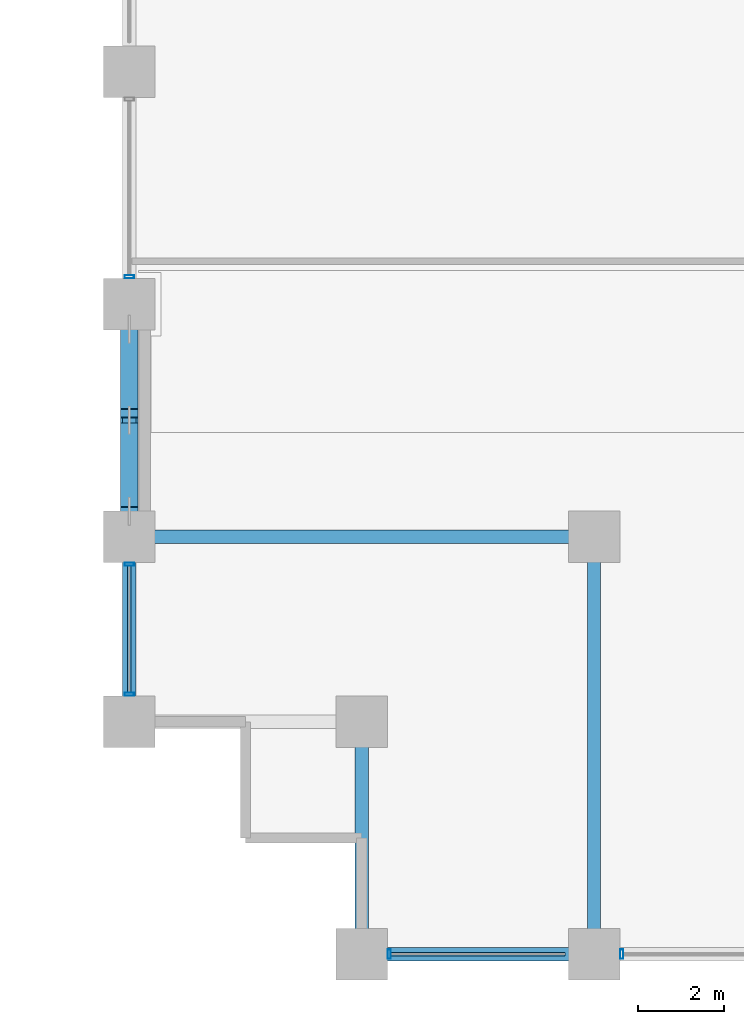
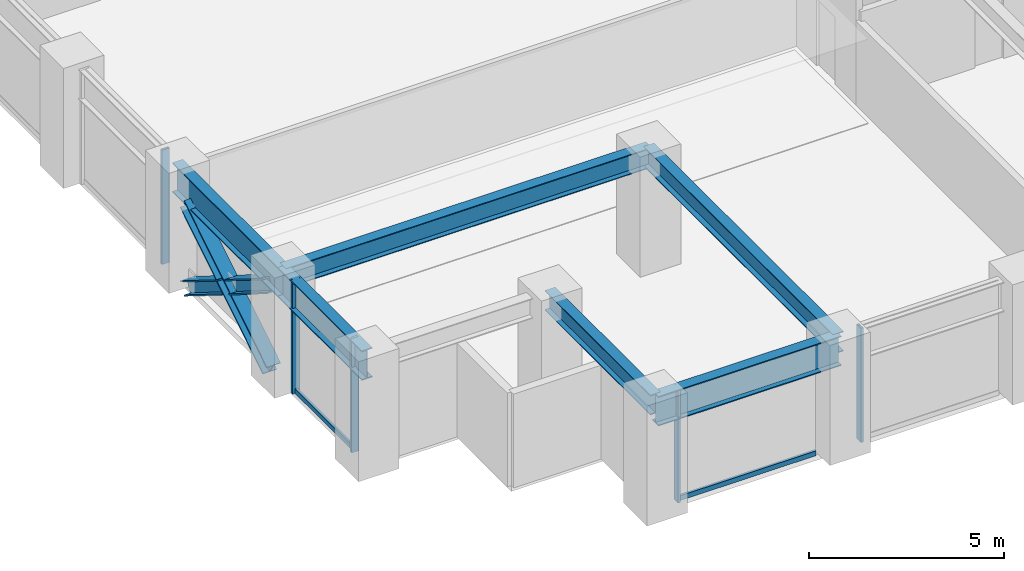
# One storey, part 2 of 26: 10 members, 6 beams, 3 elements without a shape of their own.
"""IFC4 building model written with IfcOpenShell, lengths in metres."""

from ifc_helpers import new_model, si_unit, direction, frame, origin, origin_2d, place, context, subcontext, project, spatial, hollow_rectangle, i_section, extrude, material, layer, layer_set, material_profile, profile_set, type_object, element, aggregate, save


model = new_model("IFC4")

# Units and contexts
model_context = context("Model", 3, precision=1e-05, world=origin(), true_north=direction((0.0, 1.0)))
body_context = subcontext(model_context, "Body", "Model", "MODEL_VIEW")
ifc_project = project(units=[si_unit("LENGTHUNIT", "METRE"), si_unit("AREAUNIT", "SQUARE_METRE"), si_unit("VOLUMEUNIT", "CUBIC_METRE"), si_unit("PLANEANGLEUNIT", "RADIAN"), si_unit("MASSUNIT", "GRAM", prefix="KILO")], contexts=[model_context])

# Site, building, storey
site_placement = place(None, origin())
site = spatial("IfcSite", under=ifc_project, at=site_placement, CompositionType="ELEMENT")
building_placement = place(site_placement, origin())
building = spatial("IfcBuilding", under=site, at=building_placement, Name="Surkhivell Harbour Commons", CompositionType="ELEMENT")
storey_placement = place(building_placement, frame((0.0, 0.0, 71.25)))
storey = spatial("IfcBuildingStorey", under=building, at=storey_placement, Name="L18", CompositionType="ELEMENT", Elevation=71.25)

# Beams
ifc_material_1 = material(Name="Steel S355", Category="steel")
ifc_material_profile_1 = material_profile(ifc_material_1, i_section(OverallWidth=0.306884765625, OverallDepth=0.6201171875, WebThickness=0.01416015625, FlangeThickness=0.023681640625, at=origin_2d()), Name="UB610x305x179")
ifc_profile_set_1 = profile_set([ifc_material_profile_1], Name="Steel S355")
beam_type_1 = type_object("IfcBeamType", Name="BM-GRD-610A", PredefinedType="BEAM", material=ifc_profile_set_1)
beam_1_placement = place(storey_placement, frame((-32.39990234375, -16.199951171875, 3.260009765625), z_axis=(1.0, 0.0, 0.0), x_axis=(0.0, 1.0, 0.0)))
element("IfcBeam", 1, at=beam_1_placement, inside=storey, type_object=beam_type_1, Name="L18 Floor Girder (-32.4,-16.2)", PredefinedType="BEAM", context=body_context, shape_type="SweptSolid", body=[
    extrude(i_section(OverallWidth=0.306884765625, OverallDepth=0.6201171875, WebThickness=0.01416015625, FlangeThickness=0.023681640625, at=origin_2d()), origin(), (0.0, 0.0, 1.0), 10.7998046875),
])
beam_2_placement = place(storey_placement, frame((-27.0, -25.89990234375, 3.260009765625), z_axis=(0.0, 1.0, 0.0), x_axis=(-1.0, 0.0, 0.0)))
element("IfcBeam", 2, at=beam_2_placement, inside=storey, type_object=beam_type_1, Name="L18 Floor Girder (-27.0,-25.9)", PredefinedType="BEAM", context=body_context, shape_type="SweptSolid", body=[
    extrude(i_section(OverallWidth=0.306884765625, OverallDepth=0.6201171875, WebThickness=0.01416015625, FlangeThickness=0.023681640625, at=origin_2d()), origin(), (0.0, 0.0, 1.0), 5.39990234375),
])
beam_3_placement = place(storey_placement, frame((-21.60009765625, -25.89990234375, 3.260009765625), z_axis=(0.0, 1.0, 0.0), x_axis=(-1.0, 0.0, 0.0)))
element("IfcBeam", 3, at=beam_3_placement, inside=storey, type_object=beam_type_1, Name="L18 Floor Girder (-21.6,-25.9)", PredefinedType="BEAM", context=body_context, shape_type="SweptSolid", body=[
    extrude(i_section(OverallWidth=0.306884765625, OverallDepth=0.6201171875, WebThickness=0.01416015625, FlangeThickness=0.023681640625, at=origin_2d()), origin(), (0.0, 0.0, 1.0), 9.699951171875),
])
ifc_material_2 = material(Name="Steel S460", Category="steel")
ifc_material_profile_2 = material_profile(ifc_material_2, i_section(OverallWidth=0.30810546875, OverallDepth=0.927001953125, WebThickness=0.01953125, FlangeThickness=0.031982421875, at=origin_2d()), Name="UB914x305x289")
ifc_profile_set_2 = profile_set([ifc_material_profile_2], Name="Steel S460")
beam_type_2 = type_object("IfcBeamType", Name="BM-SPN-914B", PredefinedType="SPANDREL", material=ifc_profile_set_2)
beam_4_placement = place(storey_placement, frame((-32.39990234375, -20.5, 3.1064453125), z_axis=(0.0, 1.0, 0.0), x_axis=(-1.0, 0.0, 0.0)))
element("IfcBeam", 4, at=beam_4_placement, inside=storey, type_object=beam_type_2, Name="L18 Tube Spandrel (-32.4,-20.5)", PredefinedType="SPANDREL", context=body_context, shape_type="SweptSolid", body=[
    extrude(i_section(OverallWidth=0.30810546875, OverallDepth=0.927001953125, WebThickness=0.01953125, FlangeThickness=0.031982421875, at=origin_2d()), origin(), (0.0, 0.0, 1.0), 4.300048828125),
])
for number, where, z_axis, x_axis, name in (
    (5, (-32.39990234375, -16.199951171875, 3.1064453125), (0.0, 1.0, 0.0), (-1.0, 0.0, 0.0), "L18 Tube Spandrel (-32.4,-16.2)"),
    (6, (-27.0, -25.89990234375, 3.1064453125), (1.0, 0.0, 0.0), (0.0, 1.0, 0.0), "L18 Tube Spandrel (-27.0,-25.9)"),
):
    element("IfcBeam", number, at=place(storey_placement, frame(where, z_axis=z_axis, x_axis=x_axis)), inside=storey, type_object=beam_type_2, Name=name, PredefinedType="SPANDREL", context=body_context, shape_type="SweptSolid", body=[
        extrude(i_section(OverallWidth=0.30810546875, OverallDepth=0.927001953125, WebThickness=0.01953125, FlangeThickness=0.031982421875, at=origin_2d()), origin(), (0.0, 0.0, 1.0), 5.39990234375),
    ])

# Curtain wall, members
ifc_material_3 = material(Name="Anodised pale-metal aluminium and insulated glazing", Category="aluminium")
ifc_layer = layer(ifc_material_3, 0.219970703125)
ifc_layer_set = layer_set([ifc_layer], Name="Anodised pale-metal aluminium and insulated glazing")
curtain_wall_type = type_object("IfcCurtainWallType", Name="CW-SYS-Z1", PredefinedType="NOTDEFINED", material=ifc_layer_set)
curtain_wall_1_placement = place(storey_placement, origin())
curtain_wall_1 = element("IfcCurtainWall", 7, at=curtain_wall_1_placement, inside=storey, type_object=curtain_wall_type, Name="L18 Curtain Wall CW-L18-E00S1", PredefinedType="NOTDEFINED")
ifc_material_4 = material(Name="Anodised pale-metal aluminium alloy 6063-T6", Category="aluminium")
ifc_material_profile_3 = material_profile(ifc_material_4, hollow_rectangle(XDim=0.074951171875, YDim=0.219970703125, WallThickness=0.00390625, at=origin_2d()), Name="ALU-MULL-75x220")
ifc_profile_set_3 = profile_set([ifc_material_profile_3], Name="Anodised pale-metal aluminium alloy 6063-T6")
member_type_1 = type_object("IfcMemberType", Name="CWM-220", PredefinedType="MULLION", material=ifc_profile_set_3)
member_1_placement = place(storey_placement, frame((-26.360595703125, -25.89990234375, 0.0), z_axis=(0.0, 0.0, 1.0), x_axis=(1.0, 0.0, 0.0)))
member_1 = element("IfcMember", 8, at=member_1_placement, type_object=member_type_1, Name="CW-Z1 mullion 1", PredefinedType="MULLION", context=body_context, shape_type="SweptSolid", body=[
    extrude(hollow_rectangle(XDim=0.074951171875, YDim=0.219970703125, WallThickness=0.00390625, at=origin_2d()), origin(), (0.0, 0.0, 1.0), 3.570068359375),
])
member_2_placement = place(storey_placement, frame((-20.96044921875, -25.89990234375, 0.0), z_axis=(0.0, 0.0, 1.0), x_axis=(1.0, 0.0, 0.0)))
member_2 = element("IfcMember", 9, at=member_2_placement, type_object=member_type_1, Name="CW-Z1 mullion 2", PredefinedType="MULLION", context=body_context, shape_type="SweptSolid", body=[
    extrude(hollow_rectangle(XDim=0.074951171875, YDim=0.219970703125, WallThickness=0.00390625, at=origin_2d()), origin(), (0.0, 0.0, 1.0), 3.570068359375),
])

# Curtain wall, member
curtain_wall_2_placement = place(storey_placement, origin())
curtain_wall_2 = element("IfcCurtainWall", 10, at=curtain_wall_2_placement, inside=storey, type_object=curtain_wall_type, Name="L18 Curtain Wall CW-L18-E12S1", PredefinedType="NOTDEFINED")
member_3_placement = place(storey_placement, frame((-32.39990234375, -10.160400390625, 0.0), z_axis=(0.0, 0.0, 1.0), x_axis=(0.0, -1.0, 0.0)))
member_3 = element("IfcMember", 11, at=member_3_placement, type_object=member_type_1, Name="CW-Z1 mullion 7", PredefinedType="MULLION", context=body_context, shape_type="SweptSolid", body=[
    extrude(hollow_rectangle(XDim=0.074951171875, YDim=0.219970703125, WallThickness=0.00390625, at=origin_2d()), origin(), (0.0, 0.0, 1.0), 3.570068359375),
])
aggregate(curtain_wall_2, [member_3])

# Curtain wall, members
curtain_wall_3_placement = place(storey_placement, origin())
curtain_wall_3 = element("IfcCurtainWall", 12, at=curtain_wall_3_placement, inside=storey, type_object=curtain_wall_type, Name="L18 Curtain Wall CW-L18-E12S2", PredefinedType="NOTDEFINED")
member_4_placement = place(storey_placement, frame((-32.39990234375, -16.839599609375, 0.0), z_axis=(0.0, 0.0, 1.0), x_axis=(0.0, -1.0, 0.0)))
member_4 = element("IfcMember", 13, at=member_4_placement, type_object=member_type_1, Name="CW-Z1 mullion 1", PredefinedType="MULLION", context=body_context, shape_type="SweptSolid", body=[
    extrude(hollow_rectangle(XDim=0.074951171875, YDim=0.219970703125, WallThickness=0.00390625, at=origin_2d()), origin(), (0.0, 0.0, 1.0), 3.570068359375),
])
member_5_placement = place(storey_placement, frame((-32.39990234375, -19.860595703125, 0.0), z_axis=(0.0, 0.0, 1.0), x_axis=(0.0, -1.0, 0.0)))
member_5 = element("IfcMember", 14, at=member_5_placement, type_object=member_type_1, Name="CW-Z1 mullion 2", PredefinedType="MULLION", context=body_context, shape_type="SweptSolid", body=[
    extrude(hollow_rectangle(XDim=0.074951171875, YDim=0.219970703125, WallThickness=0.00390625, at=origin_2d()), origin(), (0.0, 0.0, 1.0), 3.570068359375),
])

# Member
ifc_material_profile_4 = material_profile(ifc_material_4, hollow_rectangle(XDim=0.074951171875, YDim=0.14990234375, WallThickness=0.00341796875, at=origin_2d()), Name="ALU-TRAN-75x150")
ifc_profile_set_4 = profile_set([ifc_material_profile_4], Name="Anodised pale-metal aluminium alloy 6063-T6")
member_type_2 = type_object("IfcMemberType", Name="CWT-150", PredefinedType="USERDEFINED", material=ifc_profile_set_4)
member_6_placement = place(storey_placement, frame((-26.322998046875, -25.89990234375, 0.074951171875), z_axis=(1.0, 0.0, 0.0), x_axis=(0.0, 1.0, 0.0)))
member_6 = element("IfcMember", 15, at=member_6_placement, type_object=member_type_2, Name="CW-Z1 transom 1.1", ObjectType="TRANSOM", PredefinedType="USERDEFINED", context=body_context, shape_type="SweptSolid", body=[
    extrude(hollow_rectangle(XDim=0.074951171875, YDim=0.14990234375, WallThickness=0.00341796875, at=origin_2d()), origin(), (0.0, 0.0, 1.0), 4.0458984375),
])

aggregate(curtain_wall_1, [member_1, member_6, member_2])

member_7_placement = place(storey_placement, frame((-32.39990234375, -16.876953125, 0.074951171875), z_axis=(0.0, -1.0, 0.0), x_axis=(1.0, 0.0, 0.0)))
member_7 = element("IfcMember", 16, at=member_7_placement, type_object=member_type_2, Name="CW-Z1 transom 1.1", ObjectType="TRANSOM", PredefinedType="USERDEFINED", context=body_context, shape_type="SweptSolid", body=[
    extrude(hollow_rectangle(XDim=0.074951171875, YDim=0.14990234375, WallThickness=0.00341796875, at=origin_2d()), origin(), (0.0, 0.0, 1.0), 2.946044921875),
])

aggregate(curtain_wall_3, [member_4, member_5, member_7])

# Members
ifc_material_profile_5 = material_profile(ifc_material_2, i_section(OverallWidth=0.406005859375, OverallDepth=0.416015625, WebThickness=0.026611328125, FlangeThickness=0.0390625, at=origin_2d()), Name="HD400x382")
ifc_profile_set_5 = profile_set([ifc_material_profile_5], Name="Steel S460")
member_type_3 = type_object("IfcMemberType", Name="MEM-BRC-HD382", PredefinedType="BRACE", material=ifc_profile_set_5)
member_8_placement = place(storey_placement, frame((-32.39990234375, -15.614990234375, 0.008056640625), z_axis=(0.0, 0.848432685315, 0.529303295369), x_axis=(-1.0, 0.0, 0.0)))
element("IfcMember", 17, at=member_8_placement, inside=storey, type_object=member_type_3, Name="L18 Perimeter Mega-Brace MB- 10", PredefinedType="BRACE", context=body_context, shape_type="SweptSolid", body=[
    extrude(i_section(OverallWidth=0.406005859375, OverallDepth=0.416015625, WebThickness=0.026611328125, FlangeThickness=0.0390625, at=origin_2d()), origin(), (0.0, 0.0, 1.0), 4.985595703125),
])
member_9_placement = place(storey_placement, frame((-32.39990234375, -11.385009765625, 0.008056640625), z_axis=(0.0, -0.848458555811, 0.529261824688), x_axis=(1.0, 0.0, 0.0)))
element("IfcMember", 18, at=member_9_placement, inside=storey, type_object=member_type_3, Name="L18 Perimeter Mega-Brace MB- 11", PredefinedType="BRACE", context=body_context, shape_type="SweptSolid", body=[
    extrude(i_section(OverallWidth=0.406005859375, OverallDepth=0.416015625, WebThickness=0.026611328125, FlangeThickness=0.0390625, at=origin_2d()), origin(), (0.0, 0.0, 1.0), 2.29296875),
])
member_10_placement = place(storey_placement, frame((-32.39990234375, -13.66943359375, 1.43310546875), z_axis=(0.0, -0.848410744023, 0.529338463958), x_axis=(1.0, 0.0, 0.0)))
element("IfcMember", 19, at=member_10_placement, inside=storey, type_object=member_type_3, Name="L18 Perimeter Mega-Brace MB- 12", PredefinedType="BRACE", context=body_context, shape_type="SweptSolid", body=[
    extrude(i_section(OverallWidth=0.406005859375, OverallDepth=0.416015625, WebThickness=0.026611328125, FlangeThickness=0.0390625, at=origin_2d()), origin(), (0.0, 0.0, 1.0), 2.293212890625),
])

save(model, "model.ifc")
